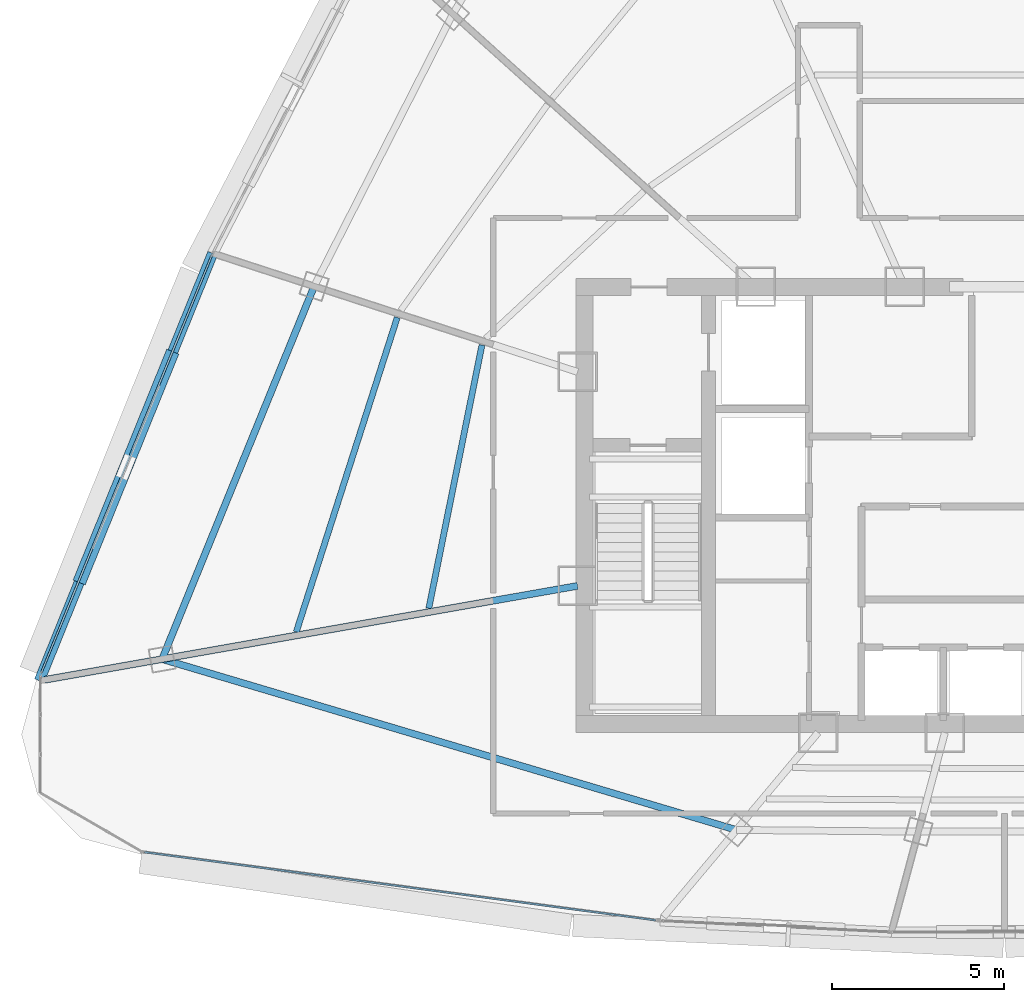
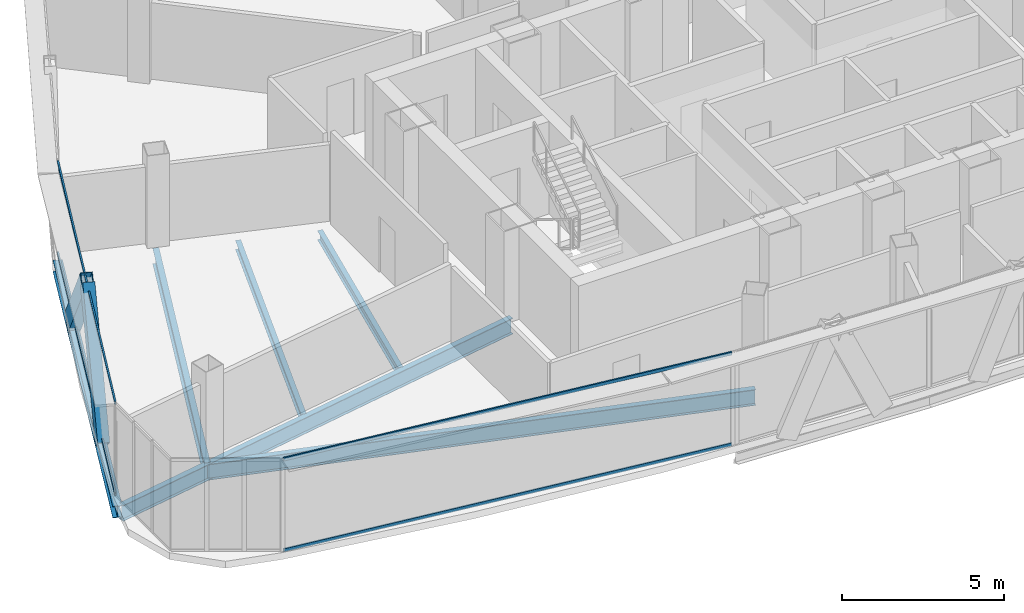
# One storey, part 3 of 26: 6 beams, 6 members, 2 elements without a shape of their own.
"""IFC4 building model written with IfcOpenShell, lengths in metres."""

import ifcopenshell
import ifcopenshell.guid

model = None  # the IFC model being written
_history = None  # IfcOwnerHistory: only IFC2X3 demands one
_inside = {}  # id of a spatial element -> (the spatial element, [elements in it])
_under = {}  # id of a project, library or spatial element -> (it, [spatial elements below it])
_declared = {}  # id of a project -> (the project, [libraries it declares])
_typed = {}  # id of a type object -> (the type object, [elements of that type])
_made_of = {}  # id of a material, layer set ... -> (it, [elements and type objects made of it])


def new_model(schema):
    """Start an empty IFC model of exactly this schema.

    Asked for "IFC4X3", IfcOpenShell would pick the latest addendum, in which some entities
    have other attributes; the version numbers below select the first issue.
    IFC2X3 requires an IfcOwnerHistory on every rooted entity: one is made here for all.
    """
    global model, _history
    if schema == "IFC4X3":
        model = ifcopenshell.file(schema_version=(4, 3, 0, 0))
    else:
        model = ifcopenshell.file(schema=schema)
    _inside.clear()
    _under.clear()
    _declared.clear()
    _typed.clear()
    _made_of.clear()
    _history = None
    if model.schema == "IFC2X3":
        org = make("IfcOrganization", Name="unknown")
        user = make(
            "IfcPersonAndOrganization",
            ThePerson=make("IfcPerson", FamilyName="unknown"),
            TheOrganization=org,
        )
        app = make(
            "IfcApplication",
            ApplicationDeveloper=org,
            Version="unknown",
            ApplicationFullName="unknown",
            ApplicationIdentifier="unknown",
        )
        _history = make(
            "IfcOwnerHistory",
            OwningUser=user,
            OwningApplication=app,
            ChangeAction="ADDED",
            CreationDate=0,
        )
    return model


def make(cls, **values):
    """One entity of the class cls with the attributes given. An attribute that is None is left unset."""
    return model.create_entity(
        cls, **{name: value for name, value in values.items() if value is not None}
    )


def rooted(cls, **values):
    """An entity with a GlobalId (a new one), such as an element, a storey or a relation."""
    return make(cls, GlobalId=ifcopenshell.guid.new(), OwnerHistory=_history, **values)


def si_unit(unit_type, name, prefix=None):
    """IfcSIUnit, for example si_unit("LENGTHUNIT", "METRE", prefix="MILLI")."""
    return make("IfcSIUnit", UnitType=unit_type, Prefix=prefix, Name=name)


def assignment(units):
    """IfcUnitAssignment: the units of a project."""
    return None if units is None else make("IfcUnitAssignment", Units=units)


def point(xyz):
    """IfcCartesianPoint."""
    return None if xyz is None else make("IfcCartesianPoint", Coordinates=xyz)


def direction(xyz):
    """IfcDirection."""
    return None if xyz is None else make("IfcDirection", DirectionRatios=xyz)


def frame(location, z_axis=None, x_axis=None):
    """IfcAxis2Placement3D, a coordinate frame: its origin and axes. An axis left out is left unset."""
    return make(
        "IfcAxis2Placement3D",
        Location=point(location),
        Axis=direction(z_axis),
        RefDirection=direction(x_axis),
    )


def frame_2d(location, x_axis=None):
    """IfcAxis2Placement2D, a coordinate frame in the plane: its origin and x axis."""
    return make(
        "IfcAxis2Placement2D", Location=point(location), RefDirection=direction(x_axis)
    )


def origin():
    """The frame at (0, 0, 0) with its axes left unset."""
    return frame((0.0, 0.0, 0.0))


def origin_2d():
    """The frame at (0, 0) in the plane with its x axis left unset."""
    return frame_2d((0.0, 0.0))


def place(relative_to, where):
    """IfcLocalPlacement: puts the frame where relative to a parent placement (None: the world)."""
    return make(
        "IfcLocalPlacement", PlacementRelTo=relative_to, RelativePlacement=where
    )


def context(
    kind, dimensions, precision=None, world=None, true_north=None, identifier=None
):
    """IfcGeometricRepresentationContext, for example the 3D "Model" context."""
    return make(
        "IfcGeometricRepresentationContext",
        ContextIdentifier=identifier,
        ContextType=kind,
        CoordinateSpaceDimension=dimensions,
        Precision=precision,
        WorldCoordinateSystem=world,
        TrueNorth=true_north,
    )


def subcontext(parent, identifier, kind, view, scale=None):
    """IfcGeometricRepresentationSubContext, for example "Body" below "Model"."""
    return make(
        "IfcGeometricRepresentationSubContext",
        ContextIdentifier=identifier,
        ContextType=kind,
        ParentContext=parent,
        TargetScale=scale,
        TargetView=view,
    )


def project(units=None, contexts=None):
    """IfcProject with its units and contexts."""
    return rooted(
        "IfcProject",
        Name="project",
        RepresentationContexts=contexts,
        UnitsInContext=assignment(units),
    )


def spatial(cls, under=None, at=None, **own):
    """A site, building, storey or space (cls), placed at a placement, below another one or the project."""
    s = rooted(cls, ObjectPlacement=at, **own)
    if under is not None:
        _under.setdefault(under.id(), (under, []))[1].append(s)
    return s


def profile(cls, at=None, kind="AREA", **sizes):
    """A parametric profile (cls). Its sizes go by their IFC names, for example OverallWidth=200.0."""
    return make(cls, ProfileType=kind, Position=at, **sizes)


def hollow_rectangle(**sizes):
    """IfcRectangleHollowProfileDef."""
    return profile("IfcRectangleHollowProfileDef", **sizes)


def i_section(**sizes):
    """IfcIShapeProfileDef."""
    return profile("IfcIShapeProfileDef", **sizes)


def extrude(swept, where, along, depth):
    """IfcExtrudedAreaSolid: the profile swept, set in the frame where, extruded along a direction by depth."""
    return make(
        "IfcExtrudedAreaSolid",
        SweptArea=swept,
        Position=where,
        ExtrudedDirection=direction(along),
        Depth=depth,
    )


def shape(context_of_items, identifier, shape_type, items):
    """IfcShapeRepresentation: the items that make up one representation, for example the "Body"."""
    return make(
        "IfcShapeRepresentation",
        ContextOfItems=context_of_items,
        RepresentationIdentifier=identifier,
        RepresentationType=shape_type,
        Items=items,
    )


def source(mapping_origin, context_of_items, identifier, shape_type, items):
    """IfcRepresentationMap: a shape defined once, which mapped items show again and again."""
    return make(
        "IfcRepresentationMap",
        MappingOrigin=mapping_origin,
        MappedRepresentation=shape(context_of_items, identifier, shape_type, items),
    )


def transform(
    local_origin,
    x_axis=None,
    y_axis=None,
    z_axis=None,
    scale=None,
    scale2=None,
    scale3=None,
    uniform=True,
):
    """IfcCartesianTransformationOperator3D, or its non-uniform kind. x_axis, y_axis, z_axis: its Axis1, 2, 3."""
    if uniform:
        return make(
            "IfcCartesianTransformationOperator3D",
            Axis1=direction(x_axis),
            Axis2=direction(y_axis),
            LocalOrigin=point(local_origin),
            Scale=scale,
            Axis3=direction(z_axis),
        )
    return make(
        "IfcCartesianTransformationOperator3DnonUniform",
        Axis1=direction(x_axis),
        Axis2=direction(y_axis),
        LocalOrigin=point(local_origin),
        Scale=scale,
        Axis3=direction(z_axis),
        Scale2=scale2,
        Scale3=scale3,
    )


def mapped(mapping_source, mapping_target):
    """IfcMappedItem: shows the shape of a source again, moved by a transform."""
    return make(
        "IfcMappedItem", MappingSource=mapping_source, MappingTarget=mapping_target
    )


def material(Name=None, Category=None):
    """IfcMaterial."""
    return make("IfcMaterial", Name=Name, Category=Category)


def layer(
    of_material, thickness, ventilated=None, Name=None, Category=None, Priority=None
):
    """IfcMaterialLayer: one layer of a wall or slab, of a material (None: an air gap)."""
    return make(
        "IfcMaterialLayer",
        Material=of_material,
        LayerThickness=thickness,
        IsVentilated=ventilated,
        Name=Name,
        Category=Category,
        Priority=Priority,
    )


def layer_set(layers, Name=None):
    """IfcMaterialLayerSet."""
    return make("IfcMaterialLayerSet", MaterialLayers=layers, LayerSetName=Name)


def material_profile(
    of_material, cross_section, Name=None, Category=None, Priority=None
):
    """IfcMaterialProfile: a cross section and its material."""
    return make(
        "IfcMaterialProfile",
        Name=Name,
        Material=of_material,
        Profile=cross_section,
        Priority=Priority,
        Category=Category,
    )


def profile_set(profiles, Name=None, composite=None):
    """IfcMaterialProfileSet."""
    return make(
        "IfcMaterialProfileSet",
        Name=Name,
        MaterialProfiles=profiles,
        CompositeProfile=composite,
    )


def made_of(thing, what):
    """Note that an element or type object is made of a material, layer set ...; save() writes the relation."""
    if what is not None:
        _made_of.setdefault(what.id(), (what, []))[1].append(thing)
    return thing


def type_object(cls, material=None, **own):
    """A type object (cls), such as IfcWallType, which elements share."""
    return made_of(rooted(cls, **own), material)


def element(
    cls,
    number,
    at=None,
    inside=None,
    cuts=None,
    type_object=None,
    material=None,
    context=None,
    identifier="Body",
    shape_type=None,
    held_by="IfcProductDefinitionShape",
    body=None,
    shapes=None,
    **own,
):
    """One element of the class cls, such as IfcWall. Its Tag is "e" and its number.

    at: its placement. inside: the storey or other place that contains it. cuts: it is an
    opening in that element (IfcRelVoidsElement). A single representation is given by context,
    identifier, shape_type and body (its items); several are given by shapes. held_by: the class
    of the entity that holds the representations. save() writes the other relations.
    """
    e = rooted(cls, Tag="e%d" % number, ObjectPlacement=at, **own)
    if body is not None:
        shapes = [shape(context, identifier, shape_type, body)]
    if shapes is not None:
        e.Representation = make(held_by, Representations=shapes)
    if inside is not None:
        _inside.setdefault(inside.id(), (inside, []))[1].append(e)
    if cuts is not None:
        rooted(
            "IfcRelVoidsElement", RelatingBuildingElement=cuts, RelatedOpeningElement=e
        )
    if type_object is not None:
        _typed.setdefault(type_object.id(), (type_object, []))[1].append(e)
    return made_of(e, material)


def aggregate(whole, parts):
    """IfcRelAggregates: a whole, such as a stair, and the parts it consists of."""
    return rooted("IfcRelAggregates", RelatingObject=whole, RelatedObjects=parts)


def save(model, path):
    """Write the relations noted so far, then the file.

    IfcRelAggregates (storeys below a building ...), IfcRelContainedInSpatialStructure (elements
    in a storey), IfcRelDefinesByType, IfcRelAssociatesMaterial and IfcRelDeclares: one each for
    every whole, place, type object, material and project.
    """
    for whole, parts in _under.values():
        aggregate(whole, parts)
    for where, things in _inside.values():
        rooted(
            "IfcRelContainedInSpatialStructure",
            RelatedElements=things,
            RelatingStructure=where,
        )
    for kind, things in _typed.values():
        rooted("IfcRelDefinesByType", RelatedObjects=things, RelatingType=kind)
    for what, things in _made_of.values():
        rooted("IfcRelAssociatesMaterial", RelatedObjects=things, RelatingMaterial=what)
    for by, libraries in _declared.values():
        rooted("IfcRelDeclares", RelatingContext=by, RelatedDefinitions=libraries)
    model.write(path)


model = new_model("IFC4")

# Units and contexts
model_context = context("Model", 3, precision=1e-05, world=origin(), true_north=direction((0.0, 1.0)))
body_context = subcontext(model_context, "Body", "Model", "MODEL_VIEW")
ifc_project = project(units=[si_unit("LENGTHUNIT", "METRE"), si_unit("AREAUNIT", "SQUARE_METRE"), si_unit("VOLUMEUNIT", "CUBIC_METRE"), si_unit("PLANEANGLEUNIT", "RADIAN"), si_unit("MASSUNIT", "GRAM", prefix="KILO"), si_unit("THERMODYNAMICTEMPERATUREUNIT", "KELVIN"), si_unit("POWERUNIT", "WATT")], contexts=[model_context])

# Site, building, storey
site_placement = place(None, origin())
site = spatial("IfcSite", under=ifc_project, at=site_placement, CompositionType="ELEMENT")
building_placement = place(site_placement, origin())
building = spatial("IfcBuilding", under=site, at=building_placement, Name="Yunzhuo Pagoda Commons", CompositionType="ELEMENT")
storey_placement = place(building_placement, frame((0.0, 0.0, 340.510009765625)))
storey = spatial("IfcBuildingStorey", under=building, at=storey_placement, Name="L85", CompositionType="ELEMENT", Elevation=340.510009765625)

# Beams
ifc_material_1 = material(Name="Structural steel Q355B", Category="steel")
ifc_material_profile_1 = material_profile(ifc_material_1, i_section(OverallWidth=0.199951171875, OverallDepth=0.60009765625, WebThickness=0.010986328125, FlangeThickness=0.01708984375, at=origin_2d()), Name="Structural steel Q355B")
ifc_profile_set_1 = profile_set([ifc_material_profile_1], Name="Structural steel Q355B")
beam_type_1 = type_object("IfcBeamType", Name="B-RG3 Beam HN 600x200x11x17", PredefinedType="BEAM", material=ifc_profile_set_1)
shared_shape_1 = source(origin(), body_context, "Body", "SweptSolid", [
    extrude(i_section(OverallWidth=0.199951171875, OverallDepth=0.60009765625, WebThickness=0.010986328125, FlangeThickness=0.01708984375, at=origin_2d()), origin(), (0.0, 0.0, 1.0), 17.407470703125),
])
beam_1_placement = place(storey_placement, frame((23.52978515625, 29.38525390625, -0.56005859375), z_axis=(0.958484984609, -0.285143006717, 0.0), x_axis=(0.285143006717, 0.958484984609, 0.0)))
element("IfcBeam", 1, at=beam_1_placement, inside=storey, type_object=beam_type_1, Name="L85 column-ring beam 12", PredefinedType="BEAM", context=body_context, shape_type="MappedRepresentation", body=[
    mapped(shared_shape_1, transform((0.0, 0.0, 0.0), scale=1.0)),
])
shared_shape_2 = source(origin(), body_context, "Body", "SweptSolid", [
    extrude(i_section(OverallWidth=0.199951171875, OverallDepth=0.60009765625, WebThickness=0.010986328125, FlangeThickness=0.01708984375, at=origin_2d()), origin(), (0.0, 0.0, 1.0), 11.696533203125),
])
beam_2_placement = place(storey_placement, frame((27.946533203125, 40.2158203125, -0.56005859375), z_axis=(-0.377611800863, -0.925963999219, 0.0), x_axis=(0.925963999219, -0.377611800863, 0.0)))
element("IfcBeam", 2, at=beam_2_placement, inside=storey, type_object=beam_type_1, Name="L85 column-ring beam 11", PredefinedType="BEAM", context=body_context, shape_type="MappedRepresentation", body=[
    mapped(shared_shape_2, transform((0.0, 0.0, 0.0), scale=1.0)),
])
ifc_material_profile_2 = material_profile(ifc_material_1, i_section(OverallWidth=0.175048828125, OverallDepth=0.35009765625, WebThickness=0.007080078125, FlangeThickness=0.010986328125, at=origin_2d()), Name="Structural steel Q355B")
ifc_profile_set_2 = profile_set([ifc_material_profile_2], Name="Structural steel Q355B")
beam_type_2 = type_object("IfcBeamType", Name="B-JS2 Joist HN 350x175x7x11", PredefinedType="JOIST", material=ifc_profile_set_2)
shared_shape_3 = source(origin(), body_context, "Body", "SweptSolid", [
    extrude(i_section(OverallWidth=0.175048828125, OverallDepth=0.35009765625, WebThickness=0.007080078125, FlangeThickness=0.010986328125, at=origin_2d()), origin(), (0.0, 0.0, 1.0), 7.8056640625),
])
beam_3_placement = place(storey_placement, frame((32.822265625, 38.511474609375, -0.43505859375), z_axis=(-0.197890187791, -0.980224195568, 0.0), x_axis=(0.980224195568, -0.197890187791, 0.0)))
element("IfcBeam", 3, at=beam_3_placement, inside=storey, type_object=beam_type_2, Name="L85 composite ring joist 1.11", PredefinedType="JOIST", context=body_context, shape_type="MappedRepresentation", body=[
    mapped(shared_shape_3, transform((0.0, 0.0, 0.0), scale=1.0)),
])
shared_shape_4 = source(origin(), body_context, "Body", "SweptSolid", [
    extrude(i_section(OverallWidth=0.175048828125, OverallDepth=0.35009765625, WebThickness=0.007080078125, FlangeThickness=0.010986328125, at=origin_2d()), origin(), (0.0, 0.0, 1.0), 9.593994140625),
])
beam_4_placement = place(storey_placement, frame((30.360595703125, 39.310546875, -0.43505859375), z_axis=(-0.305719218499, -0.952121714614, 0.0), x_axis=(0.952121714614, -0.305719218499, 0.0)))
element("IfcBeam", 4, at=beam_4_placement, inside=storey, type_object=beam_type_2, Name="L85 composite ring joist 2.11", PredefinedType="JOIST", context=body_context, shape_type="MappedRepresentation", body=[
    mapped(shared_shape_4, transform((0.0, 0.0, 0.0), scale=1.0)),
])
shared_shape_5 = source(origin(), body_context, "Body", "SweptSolid", [
    extrude(i_section(OverallWidth=0.199951171875, OverallDepth=0.60009765625, WebThickness=0.010986328125, FlangeThickness=0.01708984375, at=origin_2d()), origin(), (0.0, 0.0, 1.0), 15.72412109375),
])
beam_5_placement = place(storey_placement, frame((20.11474609375, 28.783203125, -0.56005859375), z_axis=(0.984810587899, 0.173632099459, 0.0), x_axis=(-0.173632099459, 0.984810587899, 0.0)))
element("IfcBeam", 5, at=beam_5_placement, inside=storey, type_object=beam_type_1, Name="L85 radial floor girder F3C4", PredefinedType="BEAM", context=body_context, shape_type="MappedRepresentation", body=[
    mapped(shared_shape_5, transform((0.0, 0.0, 0.0), scale=1.0)),
])
ifc_material_profile_3 = material_profile(ifc_material_1, i_section(OverallWidth=0.300048828125, OverallDepth=0.43994140625, WebThickness=0.010986328125, FlangeThickness=0.01806640625, at=origin_2d()), Name="Structural steel Q355B")
ifc_profile_set_3 = profile_set([ifc_material_profile_3], Name="Structural steel Q355B")
beam_type_3 = type_object("IfcBeamType", Name="B-SP2 Beam HM 440x300x11x18", PredefinedType="BEAM", material=ifc_profile_set_3)
shared_shape_6 = source(origin(), body_context, "Body", "SweptSolid", [
    extrude(i_section(OverallWidth=0.300048828125, OverallDepth=0.43994140625, WebThickness=0.010986328125, FlangeThickness=0.01806640625, at=origin_2d()), origin(), (0.0, 0.0, 1.0), 13.399658203125),
])
beam_6_placement = place(storey_placement, frame((24.9970703125, 41.174072265625, -0.47998046875), z_axis=(-0.3757655854, -0.926714748361, 0.0), x_axis=(0.926714748361, -0.3757655854, 0.0)))
element("IfcBeam", 6, at=beam_6_placement, inside=storey, type_object=beam_type_3, Name="L85 facade edge spandrel beam F3.3", PredefinedType="BEAM", context=body_context, shape_type="MappedRepresentation", body=[
    mapped(shared_shape_6, transform((0.0, 0.0, 0.0), scale=1.0)),
])

# Members
ifc_material_profile_4 = material_profile(ifc_material_1, hollow_rectangle(XDim=0.3798828125, YDim=0.719970703125, WallThickness=0.02001953125, at=origin_2d()), Name="Structural steel Q355B")
ifc_profile_set_4 = profile_set([ifc_material_profile_4], Name="Structural steel Q355B")
member_type_1 = type_object("IfcMemberType", Name="M-DL3 Brace BOX 720x380x20", PredefinedType="BRACE", material=ifc_profile_set_4)
shared_shape_7 = source(origin(), body_context, "Body", "SweptSolid", [
    extrude(hollow_rectangle(XDim=0.3798828125, YDim=0.719970703125, WallThickness=0.02001953125, at=origin_2d()), origin(), (0.0, 0.0, 1.0), 5.0283203125),
])
for number, where, z_axis, x_axis, name in (
    (7, (23.73828125, 38.069580078125, -0.260009765625), (-0.250335334851, -0.617390247859, 0.745762362937), (0.92671732093, -0.375759240855, 0.0), "L85 facade diamond brace F3.3L"),
    (8, (21.220703125, 31.860595703125, -0.260009765625), (0.250335334851, 0.617390247859, 0.745762362937), (-0.92671732093, 0.375759240855, 0.0), "L85 facade diamond brace F3.3R"),
):
    element("IfcMember", number, at=place(storey_placement, frame(where, z_axis=z_axis, x_axis=x_axis)), inside=storey, type_object=member_type_1, Name=name, PredefinedType="BRACE", context=body_context, shape_type="MappedRepresentation", body=[
        mapped(shared_shape_7, transform((0.0, 0.0, 0.0), scale=1.0)),
    ])

# Curtain wall, members
ifc_material_2 = material(Name="Anodized aluminium 6063-T6", Category="aluminium")
ifc_layer = layer(ifc_material_2, 0.139892578125)
ifc_layer_set = layer_set([ifc_layer], Name="Anodized aluminium 6063-T6")
curtain_wall_type = type_object("IfcCurtainWallType", Name="CW-HI High-Zone Ribbon Curtain Wall", PredefinedType="NOTDEFINED", material=ifc_layer_set)
curtain_wall_1_placement = place(storey_placement, origin())
curtain_wall_1 = element("IfcCurtainWall", 9, at=curtain_wall_1_placement, inside=storey, type_object=curtain_wall_type, Name="L85 curtain wall CW-L85-F1B1", PredefinedType="NOTDEFINED")
ifc_material_profile_5 = material_profile(ifc_material_2, hollow_rectangle(XDim=0.054931640625, YDim=0.1201171875, WallThickness=0.00341796875, at=origin_2d()), Name="Anodized aluminium 6063-T6")
ifc_profile_set_5 = profile_set([ifc_material_profile_5], Name="Anodized aluminium 6063-T6")
member_type_2 = type_object("IfcMemberType", Name="CW-HI-T Transom RHS 120x55x3.5", PredefinedType="USERDEFINED", material=ifc_profile_set_5)
shared_shape_8 = source(origin(), body_context, "Body", "SweptSolid", [
    extrude(hollow_rectangle(XDim=0.054931640625, YDim=0.1201171875, WallThickness=0.00341796875, at=origin_2d()), origin(), (0.0, 0.0, 1.0), 14.9833984375),
])
member_1_placement = place(storey_placement, frame((23.01318359375, 23.778076171875, 0.027587890625), z_axis=(0.9912411303, -0.132064460024, 0.0), x_axis=(0.132064460024, 0.9912411303, 0.0)))
member_1 = element("IfcMember", 10, at=member_1_placement, type_object=member_type_2, Name="CW transom 1.1", ObjectType="TRANSOM", PredefinedType="USERDEFINED", context=body_context, shape_type="MappedRepresentation", body=[
    mapped(shared_shape_8, transform((0.0, 0.0, 0.0), scale=1.0)),
])
member_2_placement = place(storey_placement, frame((23.01318359375, 23.778076171875, 3.46240234375), z_axis=(0.9912411303, -0.132064460024, 0.0), x_axis=(0.132064460024, 0.9912411303, 0.0)))
member_2 = element("IfcMember", 11, at=member_2_placement, type_object=member_type_2, Name="CW transom 1.2", ObjectType="TRANSOM", PredefinedType="USERDEFINED", context=body_context, shape_type="MappedRepresentation", body=[
    mapped(shared_shape_8, transform((0.0, 0.0, 0.0), scale=1.0)),
])
aggregate(curtain_wall_1, [member_1, member_2])

curtain_wall_2_placement = place(storey_placement, origin())
curtain_wall_2 = element("IfcCurtainWall", 12, at=curtain_wall_2_placement, inside=storey, type_object=curtain_wall_type, Name="L85 curtain wall CW-L85-F3B4", PredefinedType="NOTDEFINED")
shared_shape_9 = source(origin(), body_context, "Body", "SweptSolid", [
    extrude(hollow_rectangle(XDim=0.054931640625, YDim=0.1201171875, WallThickness=0.00341796875, at=origin_2d()), origin(), (0.0, 0.0, 1.0), 13.100830078125),
])
member_3_placement = place(storey_placement, frame((24.974365234375, 41.11865234375, 0.027587890625), z_axis=(-0.378185817001, -0.925729705594, 0.0), x_axis=(0.925729705594, -0.378185817001, 0.0)))
member_3 = element("IfcMember", 13, at=member_3_placement, type_object=member_type_2, Name="CW transom 1.1", ObjectType="TRANSOM", PredefinedType="USERDEFINED", context=body_context, shape_type="MappedRepresentation", body=[
    mapped(shared_shape_9, transform((0.0, 0.0, 0.0), scale=1.0)),
])
member_4_placement = place(storey_placement, frame((24.974365234375, 41.11865234375, 3.46240234375), z_axis=(-0.378185817001, -0.925729705594, 0.0), x_axis=(0.925729705594, -0.378185817001, 0.0)))
member_4 = element("IfcMember", 14, at=member_4_placement, type_object=member_type_2, Name="CW transom 1.2", ObjectType="TRANSOM", PredefinedType="USERDEFINED", context=body_context, shape_type="MappedRepresentation", body=[
    mapped(shared_shape_9, transform((0.0, 0.0, 0.0), scale=1.0)),
])
aggregate(curtain_wall_2, [member_3, member_4])

save(model, "model.ifc")
